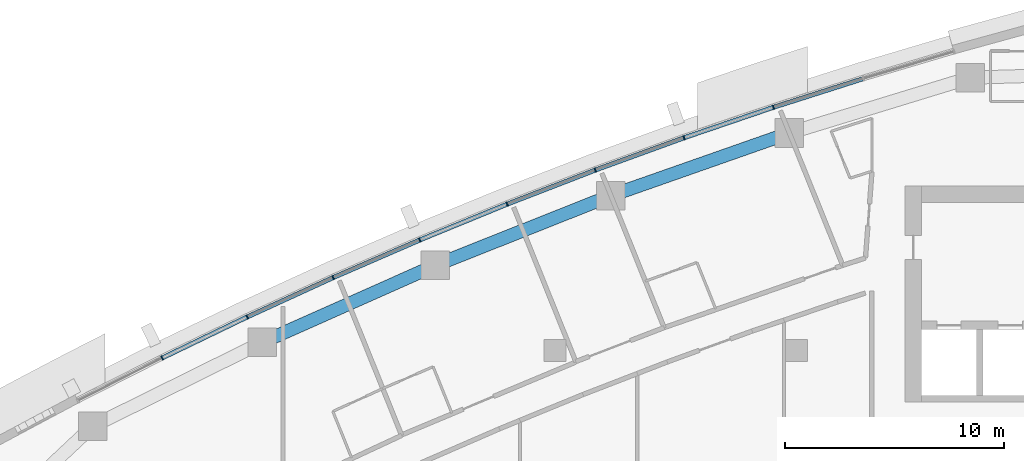
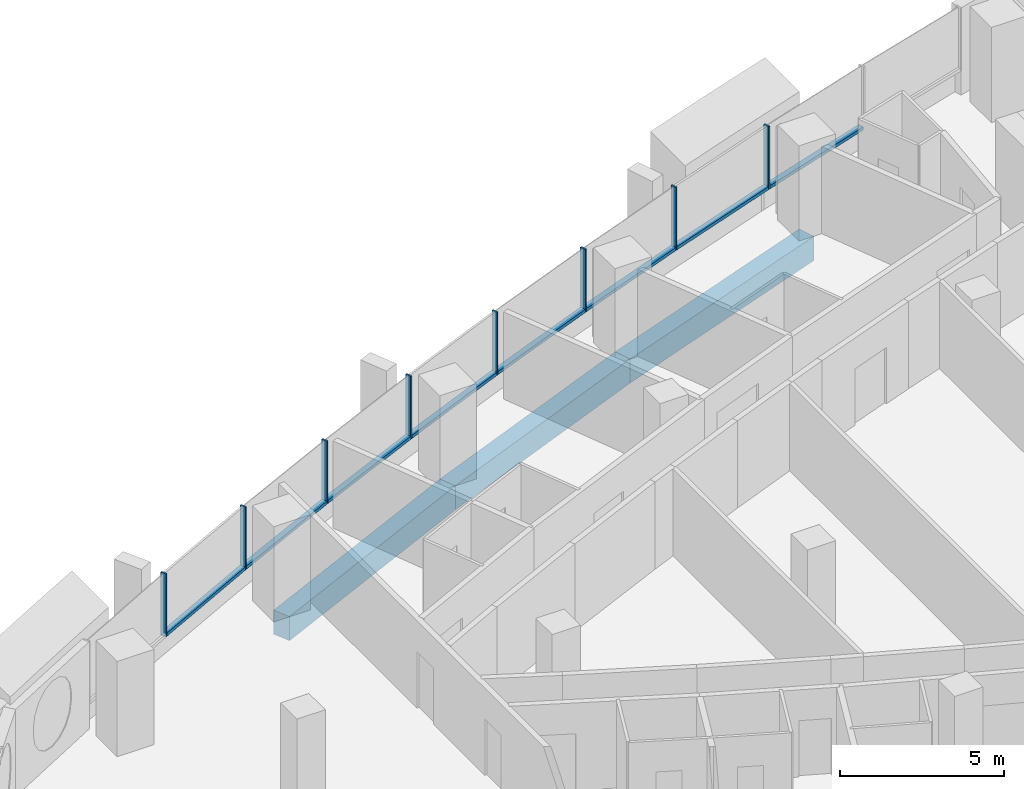
# One storey, part 6 of 17: 16 members, 3 beams, 5 elements without a shape of their own.
"""IFC4 building model written with IfcOpenShell, lengths in metres."""

from ifc_helpers import new_model, si_unit, direction, frame, origin, origin_2d, place, context, subcontext, project, spatial, rectangle, extrude, material, layer, layer_set, material_profile, profile_set, type_object, element, aggregate, save


model = new_model("IFC4")

# Units and contexts
model_context = context("Model", 3, precision=1e-05, world=origin(), true_north=direction((0.0, 1.0)))
body_context = subcontext(model_context, "Body", "Model", "MODEL_VIEW")
ifc_project = project(units=[si_unit("LENGTHUNIT", "METRE"), si_unit("AREAUNIT", "SQUARE_METRE"), si_unit("VOLUMEUNIT", "CUBIC_METRE"), si_unit("PLANEANGLEUNIT", "RADIAN"), si_unit("MASSUNIT", "GRAM", prefix="KILO")], contexts=[model_context])

# Site, building, storey
site_placement = place(None, origin())
site = spatial("IfcSite", under=ifc_project, at=site_placement, CompositionType="ELEMENT")
building_placement = place(site_placement, origin())
building = spatial("IfcBuilding", under=site, at=building_placement, Name="Ostrand Prow Hotel Tower", CompositionType="ELEMENT")
storey_placement = place(building_placement, frame((0.0, 0.0, 200.35009765625)))
storey = spatial("IfcBuildingStorey", under=building, at=storey_placement, Name="L50", CompositionType="ELEMENT", Elevation=200.35009765625)

# Beams
ifc_material_1 = material(Name="Concrete C60/75", Category="concrete")
ifc_material_profile_1 = material_profile(ifc_material_1, rectangle(XDim=0.60009765625, YDim=0.89990234375, at=origin_2d()), Name="RC 600x900")
ifc_profile_set_1 = profile_set([ifc_material_profile_1], Name="Concrete C60/75")
beam_type = type_object("IfcBeamType", Name="Edge beam 600x900 C60/75", PredefinedType="SPANDREL", material=ifc_profile_set_1)
for number, where, z_axis, x_axis, name in (
    (1, (44.6826171875, 18.91552734375, -0.75), (-0.943593618681, -0.33110584831, 0.0), (0.33110584831, -0.943593618681, 0.0), "Edge beam N2-N3"),
    (2, (36.547119140625, 16.060791015625, -0.75), (-0.929376173753, -0.36913402398, 0.0), (0.36913402398, -0.929376173753, 0.0), "Edge beam N3-N4"),
    (3, (28.5341796875, 12.878173828125, -0.75), (-0.91364332073, -0.406516767779, 0.0), (0.406516767779, -0.91364332073, 0.0), "Edge beam N4-N5"),
):
    element("IfcBeam", number, at=place(storey_placement, frame(where, z_axis=z_axis, x_axis=x_axis)), inside=storey, type_object=beam_type, Name=name, PredefinedType="SPANDREL", context=body_context, shape_type="SweptSolid", body=[
        extrude(rectangle(XDim=0.60009765625, YDim=0.89990234375, at=origin_2d()), origin(), (0.0, 0.0, 1.0), 8.621826171875),
    ])

# Curtain wall, member
ifc_material_2 = material(Name="Insulated glass in bronze anodised frame", Category="glass")
ifc_layer = layer(ifc_material_2, 0.199951171875)
ifc_layer_set = layer_set([ifc_layer], Name="Insulated glass in bronze anodised frame")
curtain_wall_type = type_object("IfcCurtainWallType", Name="Strip curtain wall, fritted glass over bronze spandrel", PredefinedType="NOTDEFINED", material=ifc_layer_set)
curtain_wall_1_placement = place(storey_placement, origin())
curtain_wall_1 = element("IfcCurtainWall", 4, at=curtain_wall_1_placement, inside=storey, type_object=curtain_wall_type, Name="CW1 run CWN1", PredefinedType="NOTDEFINED")
ifc_material_3 = material(Name="Bronze anodised aluminium", Category="aluminium")
ifc_material_profile_2 = material_profile(ifc_material_3, rectangle(XDim=0.199951171875, YDim=0.06005859375, at=origin_2d()), Name="Mullion 60x200 bronze anodised aluminium")
ifc_profile_set_2 = profile_set([ifc_material_profile_2], Name="Bronze anodised aluminium")
member_type_1 = type_object("IfcMemberType", Name="Mullion 60x200 bronze anodised aluminium", PredefinedType="MULLION", material=ifc_profile_set_2)
member_1_placement = place(storey_placement, frame((43.95361328125, 20.086669921875, 0.89990234375), z_axis=(0.0, 0.0, 1.0), x_axis=(0.303786970008, -0.952739983864, 0.0)))
member_1 = element("IfcMember", 5, at=member_1_placement, type_object=member_type_1, Name="CW1 mullion 3", PredefinedType="MULLION", context=body_context, shape_type="SweptSolid", body=[
    extrude(rectangle(XDim=0.199951171875, YDim=0.06005859375, at=origin_2d()), origin(), (0.0, 0.0, 1.0), 2.35009765625),
])

# Curtain wall, members
curtain_wall_2_placement = place(storey_placement, origin())
curtain_wall_2 = element("IfcCurtainWall", 6, at=curtain_wall_2_placement, inside=storey, type_object=curtain_wall_type, Name="CW1 run CWN2", PredefinedType="NOTDEFINED")
member_2_placement = place(storey_placement, frame((39.87939453125, 18.696533203125, 0.89990234375), z_axis=(0.0, 0.0, 1.0), x_axis=(0.341897134919, -0.939737383067, 0.0)))
member_2 = element("IfcMember", 7, at=member_2_placement, type_object=member_type_1, Name="CW1 mullion 2", PredefinedType="MULLION", context=body_context, shape_type="SweptSolid", body=[
    extrude(rectangle(XDim=0.199951171875, YDim=0.06005859375, at=origin_2d()), origin(), (0.0, 0.0, 1.0), 2.35009765625),
])
member_3_placement = place(storey_placement, frame((35.833740234375, 17.224609375, 0.89990234375), z_axis=(0.0, 0.0, 1.0), x_axis=(0.341897134919, -0.939737383067, 0.0)))
member_3 = element("IfcMember", 8, at=member_3_placement, type_object=member_type_1, Name="CW1 mullion 3", PredefinedType="MULLION", context=body_context, shape_type="SweptSolid", body=[
    extrude(rectangle(XDim=0.199951171875, YDim=0.06005859375, at=origin_2d()), origin(), (0.0, 0.0, 1.0), 2.35009765625),
])

curtain_wall_3_placement = place(storey_placement, origin())
curtain_wall_3 = element("IfcCurtainWall", 9, at=curtain_wall_3_placement, inside=storey, type_object=curtain_wall_type, Name="CW1 run CWN3", PredefinedType="NOTDEFINED")
member_4_placement = place(storey_placement, frame((31.818603515625, 15.671630859375, 0.89990234375), z_axis=(0.0, 0.0, 1.0), x_axis=(0.379452929936, -0.925211042932, 0.0)))
member_4 = element("IfcMember", 10, at=member_4_placement, type_object=member_type_1, Name="CW1 mullion 2", PredefinedType="MULLION", context=body_context, shape_type="SweptSolid", body=[
    extrude(rectangle(XDim=0.199951171875, YDim=0.06005859375, at=origin_2d()), origin(), (0.0, 0.0, 1.0), 2.35009765625),
])
member_5_placement = place(storey_placement, frame((27.83544921875, 14.0380859375, 0.89990234375), z_axis=(0.0, 0.0, 1.0), x_axis=(0.379452929936, -0.925211042932, 0.0)))
member_5 = element("IfcMember", 11, at=member_5_placement, type_object=member_type_1, Name="CW1 mullion 3", PredefinedType="MULLION", context=body_context, shape_type="SweptSolid", body=[
    extrude(rectangle(XDim=0.199951171875, YDim=0.06005859375, at=origin_2d()), origin(), (0.0, 0.0, 1.0), 2.35009765625),
])

curtain_wall_4_placement = place(storey_placement, origin())
curtain_wall_4 = element("IfcCurtainWall", 12, at=curtain_wall_4_placement, inside=storey, type_object=curtain_wall_type, Name="CW1 run CWN4", PredefinedType="NOTDEFINED")
member_6_placement = place(storey_placement, frame((23.885986328125, 12.32470703125, 0.89990234375), z_axis=(0.0, 0.0, 1.0), x_axis=(0.416393460127, -0.909184517226, 0.0)))
member_6 = element("IfcMember", 13, at=member_6_placement, type_object=member_type_1, Name="CW1 mullion 2", PredefinedType="MULLION", context=body_context, shape_type="SweptSolid", body=[
    extrude(rectangle(XDim=0.199951171875, YDim=0.06005859375, at=origin_2d()), origin(), (0.0, 0.0, 1.0), 2.35009765625),
])
member_7_placement = place(storey_placement, frame((19.971923828125, 10.531982421875, 0.89990234375), z_axis=(0.0, 0.0, 1.0), x_axis=(0.416393460127, -0.909184517226, 0.0)))
member_7 = element("IfcMember", 14, at=member_7_placement, type_object=member_type_1, Name="CW1 mullion 3", PredefinedType="MULLION", context=body_context, shape_type="SweptSolid", body=[
    extrude(rectangle(XDim=0.199951171875, YDim=0.06005859375, at=origin_2d()), origin(), (0.0, 0.0, 1.0), 2.35009765625),
])

# Curtain wall, member
curtain_wall_5_placement = place(storey_placement, origin())
curtain_wall_5 = element("IfcCurtainWall", 15, at=curtain_wall_5_placement, inside=storey, type_object=curtain_wall_type, Name="CW1 run CWN5", PredefinedType="NOTDEFINED")
member_8_placement = place(storey_placement, frame((16.0947265625, 8.660888671875, 0.89990234375), z_axis=(0.0, 0.0, 1.0), x_axis=(0.452658828186, -0.891683792196, 0.0)))
member_8 = element("IfcMember", 16, at=member_8_placement, type_object=member_type_1, Name="CW1 mullion 2", PredefinedType="MULLION", context=body_context, shape_type="SweptSolid", body=[
    extrude(rectangle(XDim=0.199951171875, YDim=0.06005859375, at=origin_2d()), origin(), (0.0, 0.0, 1.0), 2.35009765625),
])

# Member
ifc_material_4 = material(Name="Bronze anodised aluminium", Category="aluminium")
ifc_material_profile_3 = material_profile(ifc_material_4, rectangle(XDim=0.199951171875, YDim=0.1201171875, at=origin_2d()), Name="Transom 120x200 bronze anodised aluminium")
ifc_profile_set_3 = profile_set([ifc_material_profile_3], Name="Bronze anodised aluminium")
member_type_2 = type_object("IfcMemberType", Name="Transom 120x200 bronze anodised aluminium", PredefinedType="USERDEFINED", material=ifc_profile_set_3)
member_9_placement = place(storey_placement, frame((48.026611328125, 21.385498046875, 0.9599609375), z_axis=(-0.952737512605, -0.303794720289, 0.0), x_axis=(0.303794720289, -0.952737512605, 0.0)))
member_9 = element("IfcMember", 17, at=member_9_placement, type_object=member_type_2, Name="CW1 transom 2.1", ObjectType="TRANSOM", PredefinedType="USERDEFINED", context=body_context, shape_type="SweptSolid", body=[
    extrude(rectangle(XDim=0.199951171875, YDim=0.1201171875, at=origin_2d()), origin(), (0.0, 0.0, 1.0), 4.244873046875),
])

aggregate(curtain_wall_1, [member_1, member_9])

member_10_placement = place(storey_placement, frame((43.92529296875, 20.0771484375, 0.9599609375), z_axis=(-0.946422327772, -0.322931536852, 0.0), x_axis=(0.322931536852, -0.946422327772, 0.0)))
member_10 = element("IfcMember", 18, at=member_10_placement, type_object=member_type_2, Name="CW1 transom 1.1", ObjectType="TRANSOM", PredefinedType="USERDEFINED", context=body_context, shape_type="SweptSolid", body=[
    extrude(rectangle(XDim=0.199951171875, YDim=0.1201171875, at=origin_2d()), origin(), (0.0, 0.0, 1.0), 4.2451171875),
])

member_11_placement = place(storey_placement, frame((39.85107421875, 18.686279296875, 0.9599609375), z_axis=(-0.939753116272, -0.341853887584, 0.0), x_axis=(0.341853887584, -0.939753116272, 0.0)))
member_11 = element("IfcMember", 19, at=member_11_placement, type_object=member_type_2, Name="CW1 transom 2.1", ObjectType="TRANSOM", PredefinedType="USERDEFINED", context=body_context, shape_type="SweptSolid", body=[
    extrude(rectangle(XDim=0.199951171875, YDim=0.1201171875, at=origin_2d()), origin(), (0.0, 0.0, 1.0), 4.2451171875),
])

aggregate(curtain_wall_2, [member_2, member_3, member_10, member_11])

member_12_placement = place(storey_placement, frame((35.8056640625, 17.2138671875, 0.9599609375), z_axis=(-0.932675482501, -0.360716570651, 0.0), x_axis=(0.360716570651, -0.932675482501, 0.0)))
member_12 = element("IfcMember", 20, at=member_12_placement, type_object=member_type_2, Name="CW1 transom 1.1", ObjectType="TRANSOM", PredefinedType="USERDEFINED", context=body_context, shape_type="SweptSolid", body=[
    extrude(rectangle(XDim=0.199951171875, YDim=0.1201171875, at=origin_2d()), origin(), (0.0, 0.0, 1.0), 4.2451171875),
])

member_13_placement = place(storey_placement, frame((31.790771484375, 15.660400390625, 0.9599609375), z_axis=(-0.925213143858, -0.379447807258, 0.0), x_axis=(0.379447807258, -0.925213143858, 0.0)))
member_13 = element("IfcMember", 21, at=member_13_placement, type_object=member_type_2, Name="CW1 transom 2.1", ObjectType="TRANSOM", PredefinedType="USERDEFINED", context=body_context, shape_type="SweptSolid", body=[
    extrude(rectangle(XDim=0.199951171875, YDim=0.1201171875, at=origin_2d()), origin(), (0.0, 0.0, 1.0), 4.2451171875),
])

aggregate(curtain_wall_3, [member_4, member_5, member_12, member_13])

member_14_placement = place(storey_placement, frame((27.807861328125, 14.026123046875, 0.9599609375), z_axis=(-0.917389785482, -0.397989926371, 0.0), x_axis=(0.397989926371, -0.917389785482, 0.0)))
member_14 = element("IfcMember", 22, at=member_14_placement, type_object=member_type_2, Name="CW1 transom 1.1", ObjectType="TRANSOM", PredefinedType="USERDEFINED", context=body_context, shape_type="SweptSolid", body=[
    extrude(rectangle(XDim=0.199951171875, YDim=0.1201171875, at=origin_2d()), origin(), (0.0, 0.0, 1.0), 4.244873046875),
])

member_15_placement = place(storey_placement, frame((23.858642578125, 12.312255859375, 0.9599609375), z_axis=(-0.909159196143, -0.416448743628, 0.0), x_axis=(0.416448743628, -0.909159196143, 0.0)))
member_15 = element("IfcMember", 23, at=member_15_placement, type_object=member_type_2, Name="CW1 transom 2.1", ObjectType="TRANSOM", PredefinedType="USERDEFINED", context=body_context, shape_type="SweptSolid", body=[
    extrude(rectangle(XDim=0.199951171875, YDim=0.1201171875, at=origin_2d()), origin(), (0.0, 0.0, 1.0), 4.244873046875),
])

aggregate(curtain_wall_4, [member_6, member_7, member_14, member_15])

member_16_placement = place(storey_placement, frame((19.94482421875, 10.51904296875, 0.9599609375), z_axis=(-0.900619174345, -0.434609137965, 0.0), x_axis=(0.434609137965, -0.900619174345, 0.0)))
member_16 = element("IfcMember", 24, at=member_16_placement, type_object=member_type_2, Name="CW1 transom 1.1", ObjectType="TRANSOM", PredefinedType="USERDEFINED", context=body_context, shape_type="SweptSolid", body=[
    extrude(rectangle(XDim=0.199951171875, YDim=0.1201171875, at=origin_2d()), origin(), (0.0, 0.0, 1.0), 4.2451171875),
])

aggregate(curtain_wall_5, [member_8, member_16])

save(model, "model.ifc")
